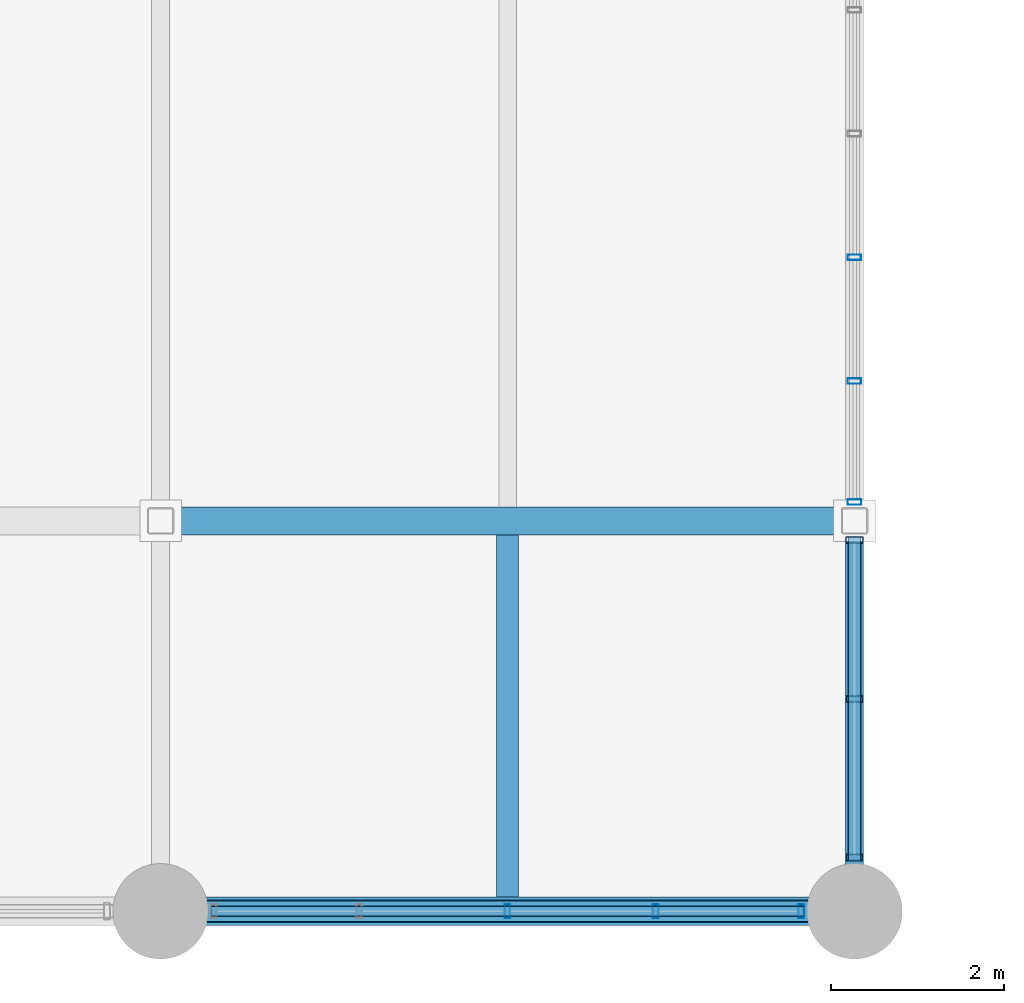
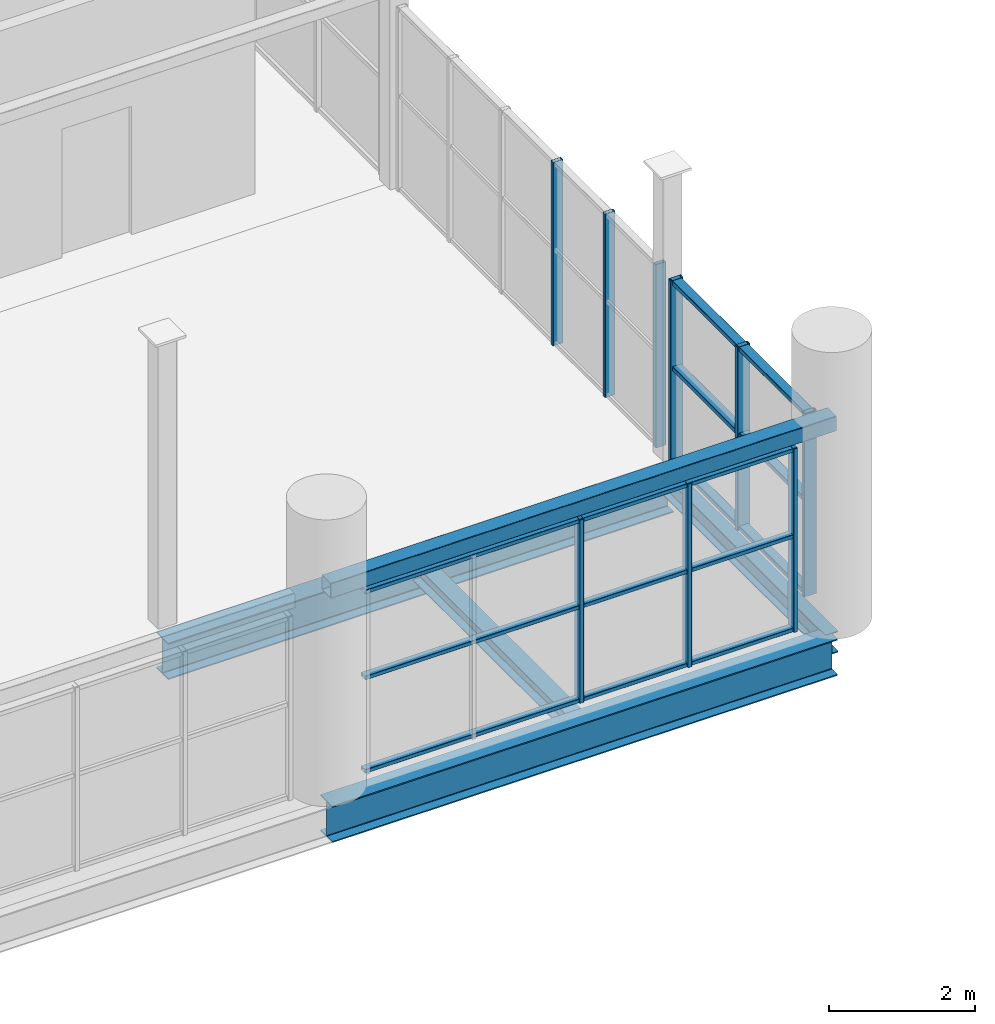
# One storey, part 33 of 114: 15 members, 5 beams, 3 elements without a shape of their own.
"""IFC4 building model written with IfcOpenShell, lengths in metres."""

from ifc_helpers import new_model, si_unit, direction, frame, origin, origin_2d, place, context, subcontext, project, spatial, hollow_rectangle, i_section, extrude, material, material_profile, profile_set, type_object, element, aggregate, save


model = new_model("IFC4")

# Units and contexts
model_context = context("Model", 3, precision=1e-05, world=origin(), true_north=direction((0.0, 1.0)))
body_context = subcontext(model_context, "Body", "Model", "MODEL_VIEW")
ifc_project = project(units=[si_unit("LENGTHUNIT", "METRE"), si_unit("AREAUNIT", "SQUARE_METRE"), si_unit("VOLUMEUNIT", "CUBIC_METRE"), si_unit("PLANEANGLEUNIT", "RADIAN"), si_unit("MASSUNIT", "GRAM", prefix="KILO")], contexts=[model_context])

# Site, building, storey
site_placement = place(None, origin())
site = spatial("IfcSite", under=ifc_project, at=site_placement, CompositionType="ELEMENT")
building_placement = place(site_placement, origin())
building = spatial("IfcBuilding", under=site, at=building_placement, Name="Verrall Gate Interchange", CompositionType="ELEMENT")
storey_placement = place(building_placement, frame((0.0, 0.0, 6.60009765625)))
storey = spatial("IfcBuildingStorey", under=building, at=storey_placement, Name="L02", CompositionType="ELEMENT", Elevation=6.60009765625)

# Beams
ifc_material_1 = material(Name="Structural Steel CSA G40.21 350WT Cat 4", Category="steel")
ifc_material_profile_1 = material_profile(ifc_material_1, i_section(OverallWidth=0.323974609375, OverallDepth=0.611083984375, WebThickness=0.0126953125, FlangeThickness=0.01904296875, FilletRadius=0.014892578125, at=origin_2d()), Name="W610x155")
ifc_profile_set_1 = profile_set([ifc_material_profile_1], Name="Structural Steel CSA G40.21 350WT Cat 4")
beam_type_1 = type_object("IfcBeamType", Name="B-08 Structural Beam W610x155", PredefinedType="BEAM", material=ifc_profile_set_1)
for number, where, z_axis, x_axis, name in (
    (1, (100.0, 0.0, -0.585693359375), (1.0, 0.0, 0.0), (0.0, 1.0, 0.0), "L02 Girder BM-L02-1449 (B-08)"),
    (2, (100.0, 4.5, -0.585693359375), (1.0, 0.0, 0.0), (0.0, 1.0, 0.0), "L02 Girder BM-L02-1465 (B-08)"),
):
    element("IfcBeam", number, at=place(storey_placement, frame(where, z_axis=z_axis, x_axis=x_axis)), inside=storey, type_object=beam_type_1, Name=name, PredefinedType="BEAM", context=body_context, shape_type="SweptSolid", body=[
        extrude(i_section(OverallWidth=0.323974609375, OverallDepth=0.611083984375, WebThickness=0.0126953125, FlangeThickness=0.01904296875, FilletRadius=0.014892578125, at=origin_2d()), origin(), (0.0, 0.0, 1.0), 8.0),
    ])
ifc_material_2 = material(Name="Structural Steel CSA G40.21 350W", Category="steel")
ifc_material_profile_2 = material_profile(ifc_material_2, i_section(OverallWidth=0.205078125, OverallDepth=0.35400390625, WebThickness=0.009521484375, FlangeThickness=0.016845703125, FilletRadius=0.012939453125, at=origin_2d()), Name="W360x79")
ifc_profile_set_2 = profile_set([ifc_material_profile_2], Name="Structural Steel CSA G40.21 350W")
beam_type_2 = type_object("IfcBeamType", Name="B-14 Structural Beam W360x79", PredefinedType="BEAM", material=ifc_profile_set_2)
beam_1_placement = place(storey_placement, frame((108.0, 0.0, -0.45703125), z_axis=(0.0, 1.0, 0.0), x_axis=(-1.0, 0.0, 0.0)))
element("IfcBeam", 3, at=beam_1_placement, inside=storey, type_object=beam_type_2, Name="L02 Girder BM-L02-1771 (B-14)", PredefinedType="BEAM", context=body_context, shape_type="SweptSolid", body=[
    extrude(i_section(OverallWidth=0.205078125, OverallDepth=0.35400390625, WebThickness=0.009521484375, FlangeThickness=0.016845703125, FilletRadius=0.012939453125, at=origin_2d()), origin(), (0.0, 0.0, 1.0), 4.5),
])

# Curtain wall, members
ifc_material_3 = material(Name="Thermally Broken Anodized Aluminium Curtain Wall Framing", Category="aluminium")
curtain_wall_type_1 = type_object("IfcCurtainWallType", Name="CW-14 Unitized Curtain Wall 6836x3070", PredefinedType="NOTDEFINED", material=ifc_material_3)
curtain_wall_1_placement = place(storey_placement, origin())
curtain_wall_1 = element("IfcCurtainWall", 4, at=curtain_wall_1_placement, inside=storey, type_object=curtain_wall_type_1, Name="L02 Unitized Curtain Wall CW-L02-060", PredefinedType="NOTDEFINED")
ifc_material_4 = material(Name="Thermally Broken Anodized Aluminium Curtain Wall Framing", Category="aluminium")
ifc_material_profile_3 = material_profile(ifc_material_4, hollow_rectangle(XDim=0.06494140625, YDim=0.159912109375, WallThickness=0.00390625, InnerFilletRadius=0.00390625, OuterFilletRadius=0.008056640625, at=origin_2d()), Name="CWM160x65x4")
ifc_profile_set_3 = profile_set([ifc_material_profile_3], Name="Thermally Broken Anodized Aluminium Curtain Wall Framing")
member_type_1 = type_object("IfcMemberType", Name="CM-01 Curtain Mullion CWM160x65x4", PredefinedType="MULLION", material=ifc_profile_set_3)
member_1_placement = place(storey_placement, frame((104.0, 0.0, 0.0), z_axis=(0.0, 0.0, 1.0), x_axis=(1.0, 0.0, 0.0)))
member_1 = element("IfcMember", 5, at=member_1_placement, type_object=member_type_1, Name="CW-L02-060 Mullion 3", PredefinedType="MULLION", context=body_context, shape_type="SweptSolid", body=[
    extrude(hollow_rectangle(XDim=0.06494140625, YDim=0.159912109375, WallThickness=0.00390625, InnerFilletRadius=0.00390625, OuterFilletRadius=0.008056640625, at=origin_2d()), origin(), (0.0, 0.0, 1.0), 3.06982421875),
])
member_2_placement = place(storey_placement, frame((105.708984375, 0.0, 0.0), z_axis=(0.0, 0.0, 1.0), x_axis=(1.0, 0.0, 0.0)))
member_2 = element("IfcMember", 6, at=member_2_placement, type_object=member_type_1, Name="CW-L02-060 Mullion 4", PredefinedType="MULLION", context=body_context, shape_type="SweptSolid", body=[
    extrude(hollow_rectangle(XDim=0.06494140625, YDim=0.159912109375, WallThickness=0.00390625, InnerFilletRadius=0.00390625, OuterFilletRadius=0.008056640625, at=origin_2d()), origin(), (0.0, 0.0, 1.0), 3.06982421875),
])
member_3_placement = place(storey_placement, frame((107.385498046875, 0.0, 0.0), z_axis=(0.0, 0.0, 1.0), x_axis=(1.0, 0.0, 0.0)))
member_3 = element("IfcMember", 7, at=member_3_placement, type_object=member_type_1, Name="CW-L02-060 Mullion 5", PredefinedType="MULLION", context=body_context, shape_type="SweptSolid", body=[
    extrude(hollow_rectangle(XDim=0.06494140625, YDim=0.159912109375, WallThickness=0.00390625, InnerFilletRadius=0.00390625, OuterFilletRadius=0.008056640625, at=origin_2d()), origin(), (0.0, 0.0, 1.0), 3.06982421875),
])

ifc_material_5 = material(Name="Thermally Broken Anodized Aluminium Curtain Wall Framing", Category="aluminium")
curtain_wall_type_2 = type_object("IfcCurtainWallType", Name="CW-16 Unitized Curtain Wall 7131x3070", PredefinedType="NOTDEFINED", material=ifc_material_5)
curtain_wall_2_placement = place(storey_placement, origin())
curtain_wall_2 = element("IfcCurtainWall", 8, at=curtain_wall_2_placement, inside=storey, type_object=curtain_wall_type_2, Name="L02 Unitized Curtain Wall CW-L02-062", PredefinedType="NOTDEFINED")
member_4_placement = place(storey_placement, frame((108.0, 4.717041015625, 0.0), z_axis=(0.0, 0.0, 1.0), x_axis=(0.0, 1.0, 0.0)))
member_4 = element("IfcMember", 9, at=member_4_placement, type_object=member_type_1, Name="CW-L02-062 Mullion 1", PredefinedType="MULLION", context=body_context, shape_type="SweptSolid", body=[
    extrude(hollow_rectangle(XDim=0.06494140625, YDim=0.159912109375, WallThickness=0.00390625, InnerFilletRadius=0.00390625, OuterFilletRadius=0.008056640625, at=origin_2d()), origin(), (0.0, 0.0, 1.0), 3.06982421875),
])
member_5_placement = place(storey_placement, frame((108.0, 6.110595703125, 0.0), z_axis=(0.0, 0.0, 1.0), x_axis=(0.0, 1.0, 0.0)))
member_5 = element("IfcMember", 10, at=member_5_placement, type_object=member_type_1, Name="CW-L02-062 Mullion 2", PredefinedType="MULLION", context=body_context, shape_type="SweptSolid", body=[
    extrude(hollow_rectangle(XDim=0.06494140625, YDim=0.159912109375, WallThickness=0.00390625, InnerFilletRadius=0.00390625, OuterFilletRadius=0.008056640625, at=origin_2d()), origin(), (0.0, 0.0, 1.0), 3.06982421875),
])
member_6_placement = place(storey_placement, frame((108.0, 7.536865234375, 0.0), z_axis=(0.0, 0.0, 1.0), x_axis=(0.0, 1.0, 0.0)))
member_6 = element("IfcMember", 11, at=member_6_placement, type_object=member_type_1, Name="CW-L02-062 Mullion 3", PredefinedType="MULLION", context=body_context, shape_type="SweptSolid", body=[
    extrude(hollow_rectangle(XDim=0.06494140625, YDim=0.159912109375, WallThickness=0.00390625, InnerFilletRadius=0.00390625, OuterFilletRadius=0.008056640625, at=origin_2d()), origin(), (0.0, 0.0, 1.0), 3.06982421875),
])
aggregate(curtain_wall_2, [member_4, member_5, member_6])

ifc_material_6 = material(Name="Thermally Broken Anodized Aluminium Curtain Wall Framing", Category="aluminium")
curtain_wall_type_3 = type_object("IfcCurtainWallType", Name="CW-15 Unitized Curtain Wall 3734x3070", PredefinedType="NOTDEFINED", material=ifc_material_6)
curtain_wall_3_placement = place(storey_placement, origin())
curtain_wall_3 = element("IfcCurtainWall", 12, at=curtain_wall_3_placement, inside=storey, type_object=curtain_wall_type_3, Name="L02 Unitized Curtain Wall CW-L02-061", PredefinedType="NOTDEFINED")
ifc_material_7 = material(Name="Thermally Broken Anodized Aluminium Curtain Wall Framing", Category="aluminium")
ifc_material_profile_4 = material_profile(ifc_material_7, hollow_rectangle(XDim=0.074951171875, YDim=0.199951171875, WallThickness=0.0048828125, InnerFilletRadius=0.0048828125, OuterFilletRadius=0.010009765625, at=origin_2d()), Name="CWM200x75x5")
ifc_profile_set_4 = profile_set([ifc_material_profile_4], Name="Thermally Broken Anodized Aluminium Curtain Wall Framing")
member_type_2 = type_object("IfcMemberType", Name="CM-02 Curtain Mullion CWM200x75x5", PredefinedType="MULLION", material=ifc_profile_set_4)
member_7_placement = place(storey_placement, frame((108.0, 0.619384765625, 0.0), z_axis=(0.0, 0.0, 1.0), x_axis=(0.0, 1.0, 0.0)))
member_7 = element("IfcMember", 13, at=member_7_placement, type_object=member_type_2, Name="CW-L02-061 Mullion 1", PredefinedType="MULLION", context=body_context, shape_type="SweptSolid", body=[
    extrude(hollow_rectangle(XDim=0.074951171875, YDim=0.199951171875, WallThickness=0.0048828125, InnerFilletRadius=0.0048828125, OuterFilletRadius=0.010009765625, at=origin_2d()), origin(), (0.0, 0.0, 1.0), 3.06982421875),
])
member_8_placement = place(storey_placement, frame((108.0, 2.44873046875, 0.0), z_axis=(0.0, 0.0, 1.0), x_axis=(0.0, 1.0, 0.0)))
member_8 = element("IfcMember", 14, at=member_8_placement, type_object=member_type_2, Name="CW-L02-061 Mullion 2", PredefinedType="MULLION", context=body_context, shape_type="SweptSolid", body=[
    extrude(hollow_rectangle(XDim=0.074951171875, YDim=0.199951171875, WallThickness=0.0048828125, InnerFilletRadius=0.0048828125, OuterFilletRadius=0.010009765625, at=origin_2d()), origin(), (0.0, 0.0, 1.0), 3.06982421875),
])
member_9_placement = place(storey_placement, frame((108.0, 4.278076171875, 0.0), z_axis=(0.0, 0.0, 1.0), x_axis=(0.0, 1.0, 0.0)))
member_9 = element("IfcMember", 15, at=member_9_placement, type_object=member_type_2, Name="CW-L02-061 Mullion 3", PredefinedType="MULLION", context=body_context, shape_type="SweptSolid", body=[
    extrude(hollow_rectangle(XDim=0.074951171875, YDim=0.199951171875, WallThickness=0.0048828125, InnerFilletRadius=0.0048828125, OuterFilletRadius=0.010009765625, at=origin_2d()), origin(), (0.0, 0.0, 1.0), 3.06982421875),
])

# Member
ifc_material_8 = material(Name="Thermally Broken Anodized Aluminium Curtain Wall Framing", Category="aluminium")
ifc_material_profile_5 = material_profile(ifc_material_8, hollow_rectangle(XDim=0.1201171875, YDim=0.06494140625, WallThickness=0.00390625, InnerFilletRadius=0.00390625, OuterFilletRadius=0.008056640625, at=origin_2d()), Name="CWT120x65x4")
ifc_profile_set_5 = profile_set([ifc_material_profile_5], Name="Thermally Broken Anodized Aluminium Curtain Wall Framing")
member_type_3 = type_object("IfcMemberType", Name="CT-01 Curtain Transom CWT120x65x4", PredefinedType="USERDEFINED", material=ifc_profile_set_5)
member_10_placement = place(storey_placement, frame((100.58203125, 0.0, 0.032470703125), z_axis=(1.0, 0.0, 0.0), x_axis=(0.0, 1.0, 0.0)))
member_10 = element("IfcMember", 16, at=member_10_placement, type_object=member_type_3, Name="CW-L02-060 Transom 1", ObjectType="TRANSOM", PredefinedType="USERDEFINED", context=body_context, shape_type="SweptSolid", body=[
    extrude(hollow_rectangle(XDim=0.1201171875, YDim=0.06494140625, WallThickness=0.00390625, InnerFilletRadius=0.00390625, OuterFilletRadius=0.008056640625, at=origin_2d()), origin(), (0.0, 0.0, 1.0), 6.8359375),
])

member_11_placement = place(storey_placement, frame((100.58203125, 0.0, 1.59619140625), z_axis=(1.0, 0.0, 0.0), x_axis=(0.0, 1.0, 0.0)))
member_11 = element("IfcMember", 17, at=member_11_placement, type_object=member_type_3, Name="CW-L02-060 Transom 2", ObjectType="TRANSOM", PredefinedType="USERDEFINED", context=body_context, shape_type="SweptSolid", body=[
    extrude(hollow_rectangle(XDim=0.1201171875, YDim=0.06494140625, WallThickness=0.00390625, InnerFilletRadius=0.00390625, OuterFilletRadius=0.008056640625, at=origin_2d()), origin(), (0.0, 0.0, 1.0), 6.8359375),
])

member_12_placement = place(storey_placement, frame((100.58203125, 0.0, 3.037353515625), z_axis=(1.0, 0.0, 0.0), x_axis=(0.0, 1.0, 0.0)))
member_12 = element("IfcMember", 18, at=member_12_placement, type_object=member_type_3, Name="CW-L02-060 Transom 3", ObjectType="TRANSOM", PredefinedType="USERDEFINED", context=body_context, shape_type="SweptSolid", body=[
    extrude(hollow_rectangle(XDim=0.1201171875, YDim=0.06494140625, WallThickness=0.00390625, InnerFilletRadius=0.00390625, OuterFilletRadius=0.008056640625, at=origin_2d()), origin(), (0.0, 0.0, 1.0), 6.8359375),
])

aggregate(curtain_wall_1, [member_1, member_2, member_3, member_10, member_11, member_12])

ifc_material_9 = material(Name="Thermally Broken Anodized Aluminium Curtain Wall Framing", Category="aluminium")
ifc_material_profile_6 = material_profile(ifc_material_9, hollow_rectangle(XDim=0.14990234375, YDim=0.074951171875, WallThickness=0.00439453125, InnerFilletRadius=0.00439453125, OuterFilletRadius=0.009033203125, at=origin_2d()), Name="CWT150x75x4.5")
ifc_profile_set_6 = profile_set([ifc_material_profile_6], Name="Thermally Broken Anodized Aluminium Curtain Wall Framing")
member_type_4 = type_object("IfcMemberType", Name="CT-02 Curtain Transom CWT150x75x4.5", PredefinedType="USERDEFINED", material=ifc_profile_set_6)
member_13_placement = place(storey_placement, frame((108.0, 0.58203125, 0.037353515625), z_axis=(0.0, 1.0, 0.0), x_axis=(-1.0, 0.0, 0.0)))
member_13 = element("IfcMember", 19, at=member_13_placement, type_object=member_type_4, Name="CW-L02-061 Transom 1", ObjectType="TRANSOM", PredefinedType="USERDEFINED", context=body_context, shape_type="SweptSolid", body=[
    extrude(hollow_rectangle(XDim=0.14990234375, YDim=0.074951171875, WallThickness=0.00439453125, InnerFilletRadius=0.00439453125, OuterFilletRadius=0.009033203125, at=origin_2d()), origin(), (0.0, 0.0, 1.0), 3.7333984375),
])

member_14_placement = place(storey_placement, frame((108.0, 0.58203125, 1.59619140625), z_axis=(0.0, 1.0, 0.0), x_axis=(-1.0, 0.0, 0.0)))
member_14 = element("IfcMember", 20, at=member_14_placement, type_object=member_type_4, Name="CW-L02-061 Transom 2", ObjectType="TRANSOM", PredefinedType="USERDEFINED", context=body_context, shape_type="SweptSolid", body=[
    extrude(hollow_rectangle(XDim=0.14990234375, YDim=0.074951171875, WallThickness=0.00439453125, InnerFilletRadius=0.00439453125, OuterFilletRadius=0.009033203125, at=origin_2d()), origin(), (0.0, 0.0, 1.0), 3.7333984375),
])

member_15_placement = place(storey_placement, frame((108.0, 0.58203125, 3.032470703125), z_axis=(0.0, 1.0, 0.0), x_axis=(-1.0, 0.0, 0.0)))
member_15 = element("IfcMember", 21, at=member_15_placement, type_object=member_type_4, Name="CW-L02-061 Transom 3", ObjectType="TRANSOM", PredefinedType="USERDEFINED", context=body_context, shape_type="SweptSolid", body=[
    extrude(hollow_rectangle(XDim=0.14990234375, YDim=0.074951171875, WallThickness=0.00439453125, InnerFilletRadius=0.00439453125, OuterFilletRadius=0.009033203125, at=origin_2d()), origin(), (0.0, 0.0, 1.0), 3.7333984375),
])

aggregate(curtain_wall_3, [member_7, member_8, member_9, member_13, member_14, member_15])

# Beams
ifc_material_10 = material(Name="Structural Steel CSA G40.21 350W", Category="steel")
ifc_material_profile_7 = material_profile(ifc_material_10, i_section(OverallWidth=0.25390625, OverallDepth=0.305908203125, WebThickness=0.0087890625, FlangeThickness=0.0146484375, FilletRadius=0.012939453125, at=origin_2d()), Name="W310x79")
ifc_profile_set_7 = profile_set([ifc_material_profile_7], Name="Structural Steel CSA G40.21 350W")
beam_type_3 = type_object("IfcBeamType", Name="J-03 Floor Joist W310x79", PredefinedType="JOIST", material=ifc_profile_set_7)
beam_2_placement = place(storey_placement, frame((104.0, 0.162109375, -0.43310546875), z_axis=(0.0, 1.0, 0.0), x_axis=(-1.0, 0.0, 0.0)))
element("IfcBeam", 22, at=beam_2_placement, inside=storey, type_object=beam_type_3, Name="L02 Secondary Floor Joist JST-L02-1852", PredefinedType="JOIST", context=body_context, shape_type="SweptSolid", body=[
    extrude(i_section(OverallWidth=0.25390625, OverallDepth=0.305908203125, WebThickness=0.0087890625, FlangeThickness=0.0146484375, FilletRadius=0.012939453125, at=origin_2d()), origin(), (0.0, 0.0, 1.0), 4.17578125),
])
ifc_material_11 = material(Name="Structural Steel CSA G40.21 350W", Category="steel")
ifc_material_profile_8 = material_profile(ifc_material_11, hollow_rectangle(XDim=0.25390625, YDim=0.25390625, WallThickness=0.009521484375, InnerFilletRadius=0.009521484375, OuterFilletRadius=0.01904296875, at=origin_2d()), Name="HSS254x254x9.5")
ifc_profile_set_8 = profile_set([ifc_material_profile_8], Name="Structural Steel CSA G40.21 350W")
beam_type_4 = type_object("IfcBeamType", Name="LN-03 Portal Lintel HSS254x254x9.5", PredefinedType="LINTEL", material=ifc_profile_set_8)
beam_3_placement = place(storey_placement, frame((100.0, 0.0, 3.2998046875), z_axis=(1.0, 0.0, 0.0), x_axis=(0.0, 1.0, 0.0)))
element("IfcBeam", 23, at=beam_3_placement, inside=storey, type_object=beam_type_4, Name="Classical Portal Lintel 035", PredefinedType="LINTEL", context=body_context, shape_type="SweptSolid", body=[
    extrude(hollow_rectangle(XDim=0.25390625, YDim=0.25390625, WallThickness=0.009521484375, InnerFilletRadius=0.009521484375, OuterFilletRadius=0.01904296875, at=origin_2d()), origin(), (0.0, 0.0, 1.0), 8.0),
])

save(model, "model.ifc")
